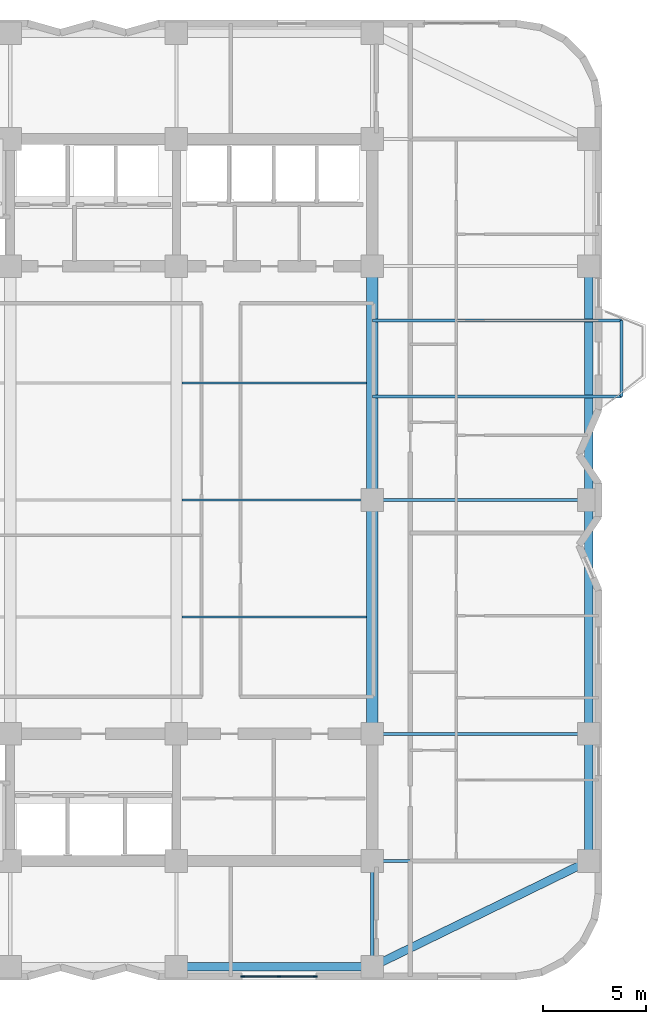
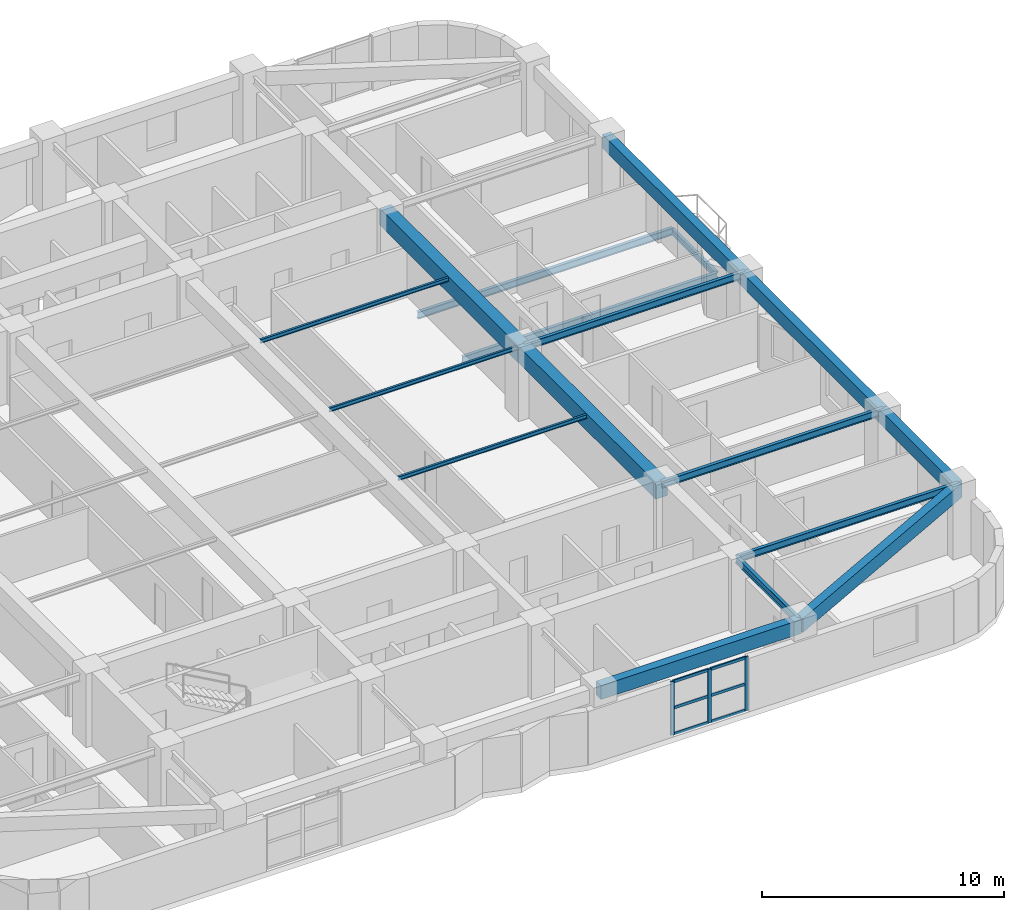
# One storey, part 4 of 15: 17 beams, 9 members, 1 element without a shape of its own.
"""IFC4 building model written with IfcOpenShell, lengths in metres."""

from ifc_helpers import new_model, si_unit, direction, frame, origin, origin_2d, place, context, subcontext, project, spatial, rectangle, i_section, extrude, material, material_profile, profile_set, type_object, element, aggregate, save


model = new_model("IFC4")

# Units and contexts
model_context = context("Model", 3, precision=1e-05, world=origin(), true_north=direction((0.0, 1.0)))
body_context = subcontext(model_context, "Body", "Model", "MODEL_VIEW")
ifc_project = project(units=[si_unit("LENGTHUNIT", "METRE"), si_unit("AREAUNIT", "SQUARE_METRE"), si_unit("VOLUMEUNIT", "CUBIC_METRE"), si_unit("PLANEANGLEUNIT", "RADIAN"), si_unit("MASSUNIT", "GRAM", prefix="KILO")], contexts=[model_context])

# Site, building, storey
site_placement = place(None, origin())
site = spatial("IfcSite", under=ifc_project, at=site_placement, CompositionType="ELEMENT")
building_placement = place(site_placement, origin())
building = spatial("IfcBuilding", under=site, at=building_placement, Name="Svetorya Sky Lyceum", CompositionType="ELEMENT")
storey_placement = place(building_placement, frame((0.0, 0.0, 99.39990234375)))
storey = spatial("IfcBuildingStorey", under=building, at=storey_placement, Name="L24", CompositionType="ELEMENT", Elevation=99.39990234375)

# Beams
ifc_material_1 = material(Name="Concrete C50/60", Category="concrete")
ifc_material_profile_1 = material_profile(ifc_material_1, rectangle(XDim=0.550048828125, YDim=0.85009765625, at=origin_2d()), Name="RC BEAM 550x850")
ifc_profile_set_1 = profile_set([ifc_material_profile_1], Name="Concrete C50/60")
beam_type_1 = type_object("IfcBeamType", Name="BM-RC-850", PredefinedType="BEAM", material=ifc_profile_set_1)
beam_1_placement = place(storey_placement, frame((52.800048828125, 16.800048828125, 2.9951171875), z_axis=(0.0, 1.0, 0.0), x_axis=(-1.0, 0.0, 0.0)))
element("IfcBeam", 1, at=beam_1_placement, inside=storey, type_object=beam_type_1, Name="L24 Central Bay Primary Girder CG-4A", PredefinedType="BEAM", context=body_context, shape_type="SweptSolid", body=[
    extrude(rectangle(XDim=0.550048828125, YDim=0.85009765625, at=origin_2d()), origin(), (0.0, 0.0, 1.0), 11.39990234375),
])
beam_2_placement = place(storey_placement, frame((52.800048828125, 28.199951171875, 2.9951171875), z_axis=(0.0, 1.0, 0.0), x_axis=(-1.0, 0.0, 0.0)))
element("IfcBeam", 2, at=beam_2_placement, inside=storey, type_object=beam_type_1, Name="L24 Central Bay Primary Girder CG-4B", PredefinedType="BEAM", context=body_context, shape_type="SweptSolid", body=[
    extrude(rectangle(XDim=0.550048828125, YDim=0.85009765625, at=origin_2d()), origin(), (0.0, 0.0, 1.0), 11.400146484375),
])
ifc_material_profile_2 = material_profile(ifc_material_1, rectangle(XDim=0.39990234375, YDim=0.699951171875, at=origin_2d()), Name="RC SPANDREL 400x700")
ifc_profile_set_2 = profile_set([ifc_material_profile_2], Name="Concrete C50/60")
beam_type_2 = type_object("IfcBeamType", Name="BM-SPN-700", PredefinedType="SPANDREL", material=ifc_profile_set_2)
beam_3_placement = place(storey_placement, frame((43.25, 5.449951171875, 3.070068359375), z_axis=(1.0, 0.0, 0.0), x_axis=(0.0, 1.0, 0.0)))
element("IfcBeam", 3, at=beam_3_placement, inside=storey, type_object=beam_type_2, Name="L24 South Spandrel 3", PredefinedType="SPANDREL", context=body_context, shape_type="SweptSolid", body=[
    extrude(rectangle(XDim=0.39990234375, YDim=0.699951171875, at=origin_2d()), origin(), (0.0, 0.0, 1.0), 9.550048828125),
])
beam_4_placement = place(storey_placement, frame((52.800048828125, 5.449951171875, 3.070068359375), z_axis=(0.898641495694, 0.438683783854, 0.0), x_axis=(-0.438683783854, 0.898641495694, 0.0)))
element("IfcBeam", 4, at=beam_4_placement, inside=storey, type_object=beam_type_2, Name="L24 Corner Spandrel 2", PredefinedType="SPANDREL", context=body_context, shape_type="SweptSolid", body=[
    extrude(rectangle(XDim=0.39990234375, YDim=0.699951171875, at=origin_2d()), origin(), (0.0, 0.0, 1.0), 11.739990234375),
])
beam_5_placement = place(storey_placement, frame((63.35009765625, 10.60009765625, 3.070068359375), z_axis=(0.0, 1.0, 0.0), x_axis=(-1.0, 0.0, 0.0)))
element("IfcBeam", 5, at=beam_5_placement, inside=storey, type_object=beam_type_2, Name="L24 East Spandrel 1", PredefinedType="SPANDREL", context=body_context, shape_type="SweptSolid", body=[
    extrude(rectangle(XDim=0.39990234375, YDim=0.699951171875, at=origin_2d()), origin(), (0.0, 0.0, 1.0), 6.199951171875),
])
beam_6_placement = place(storey_placement, frame((63.35009765625, 16.800048828125, 3.070068359375), z_axis=(0.0, 1.0, 0.0), x_axis=(-1.0, 0.0, 0.0)))
element("IfcBeam", 6, at=beam_6_placement, inside=storey, type_object=beam_type_2, Name="L24 East Spandrel 2", PredefinedType="SPANDREL", context=body_context, shape_type="SweptSolid", body=[
    extrude(rectangle(XDim=0.39990234375, YDim=0.699951171875, at=origin_2d()), origin(), (0.0, 0.0, 1.0), 11.39990234375),
])
beam_7_placement = place(storey_placement, frame((63.35009765625, 28.199951171875, 3.070068359375), z_axis=(0.0, 1.0, 0.0), x_axis=(-1.0, 0.0, 0.0)))
element("IfcBeam", 7, at=beam_7_placement, inside=storey, type_object=beam_type_2, Name="L24 East Spandrel 3", PredefinedType="SPANDREL", context=body_context, shape_type="SweptSolid", body=[
    extrude(rectangle(XDim=0.39990234375, YDim=0.699951171875, at=origin_2d()), origin(), (0.0, 0.0, 1.0), 11.400146484375),
])
ifc_material_2 = material(Name="Steel S355", Category="steel")
ifc_material_profile_3 = material_profile(ifc_material_2, i_section(OverallWidth=0.10009765625, OverallDepth=0.199951171875, WebThickness=0.005615234375, FlangeThickness=0.008544921875, at=origin_2d()), Name="GOST 20B1")
ifc_profile_set_3 = profile_set([ifc_material_profile_3], Name="Steel S355")
beam_type_3 = type_object("IfcBeamType", Name="BM-STL-20B1", PredefinedType="JOIST", material=ifc_profile_set_3)
for number, where, z_axis, x_axis, name in (
    (8, (43.52490234375, 22.5, 3.320068359375), (1.0, 0.0, 0.0), (0.0, 1.0, 0.0), "L24 Central Floor Joist CJ-1.3"),
    (9, (43.52490234375, 28.199951171875, 3.320068359375), (1.0, 0.0, 0.0), (0.0, 1.0, 0.0), "L24 Central Floor Joist CJ-2.3"),
    (10, (43.52490234375, 33.89990234375, 3.320068359375), (1.0, 0.0, 0.0), (0.0, 1.0, 0.0), "L24 Central Floor Joist CJ-3.3"),
):
    element("IfcBeam", number, at=place(storey_placement, frame(where, z_axis=z_axis, x_axis=x_axis)), inside=storey, type_object=beam_type_3, Name=name, PredefinedType="JOIST", context=body_context, shape_type="SweptSolid", body=[
        extrude(i_section(OverallWidth=0.10009765625, OverallDepth=0.199951171875, WebThickness=0.005615234375, FlangeThickness=0.008544921875, at=origin_2d()), origin(), (0.0, 0.0, 1.0), 9.0),
    ])
ifc_material_profile_4 = material_profile(ifc_material_2, i_section(OverallWidth=0.14990234375, OverallDepth=0.299072265625, WebThickness=0.006591796875, FlangeThickness=0.010498046875, at=origin_2d()), Name="GOST 30B2")
ifc_profile_set_4 = profile_set([ifc_material_profile_4], Name="Steel S355")
beam_type_4 = type_object("IfcBeamType", Name="BM-STL-30B2", PredefinedType="JOIST", material=ifc_profile_set_4)
beam_8_placement = place(storey_placement, frame((64.949951171875, 33.25, -0.454345703125), z_axis=(0.0, 1.0, 0.0), x_axis=(-1.0, 0.0, 0.0)))
element("IfcBeam", 11, at=beam_8_placement, inside=storey, type_object=beam_type_4, Name="L24 Balcony Edge Tie BAL-E1", PredefinedType="JOIST", context=body_context, shape_type="SweptSolid", body=[
    extrude(i_section(OverallWidth=0.14990234375, OverallDepth=0.299072265625, WebThickness=0.006591796875, FlangeThickness=0.010498046875, at=origin_2d()), origin(), (0.0, 0.0, 1.0), 3.699951171875),
])
ifc_material_profile_5 = material_profile(ifc_material_2, i_section(OverallWidth=0.155029296875, OverallDepth=0.34912109375, WebThickness=0.007080078125, FlangeThickness=0.011474609375, at=origin_2d()), Name="GOST 35B2")
ifc_profile_set_5 = profile_set([ifc_material_profile_5], Name="Steel S355")
beam_type_5 = type_object("IfcBeamType", Name="BM-STL-35B2", PredefinedType="JOIST", material=ifc_profile_set_5)
for number, where, z_axis, x_axis, name in (
    (12, (52.800048828125, 33.25, -0.454345703125), (1.0, 0.0, 0.0), (0.0, 1.0, 0.0), "L24 Balcony Cantilever Beam BAL-E1-1"),
    (13, (52.800048828125, 36.949951171875, -0.454345703125), (1.0, 0.0, 0.0), (0.0, 1.0, 0.0), "L24 Balcony Cantilever Beam BAL-E1-2"),
):
    element("IfcBeam", number, at=place(storey_placement, frame(where, z_axis=z_axis, x_axis=x_axis)), inside=storey, type_object=beam_type_5, Name=name, PredefinedType="JOIST", context=body_context, shape_type="SweptSolid", body=[
        extrude(i_section(OverallWidth=0.155029296875, OverallDepth=0.34912109375, WebThickness=0.007080078125, FlangeThickness=0.011474609375, at=origin_2d()), origin(), (0.0, 0.0, 1.0), 12.14990234375),
    ])
for number, where, z_axis, x_axis, name in (
    (14, (52.800048828125, 10.60009765625, 3.24560546875), (1.0, 0.0, 0.0), (0.0, 1.0, 0.0), "L24 East Wing Floor Joist E1"),
    (15, (52.800048828125, 16.800048828125, 3.24560546875), (1.0, 0.0, 0.0), (0.0, 1.0, 0.0), "L24 East Wing Floor Joist E2"),
    (16, (52.800048828125, 28.199951171875, 3.24560546875), (1.0, 0.0, 0.0), (0.0, 1.0, 0.0), "L24 East Wing Floor Joist E3"),
):
    element("IfcBeam", number, at=place(storey_placement, frame(where, z_axis=z_axis, x_axis=x_axis)), inside=storey, type_object=beam_type_5, Name=name, PredefinedType="JOIST", context=body_context, shape_type="SweptSolid", body=[
        extrude(i_section(OverallWidth=0.155029296875, OverallDepth=0.34912109375, WebThickness=0.007080078125, FlangeThickness=0.011474609375, at=origin_2d()), origin(), (0.0, 0.0, 1.0), 10.550048828125),
    ])
beam_9_placement = place(storey_placement, frame((52.800048828125, 5.449951171875, 3.24560546875), z_axis=(0.0, 1.0, 0.0), x_axis=(-1.0, 0.0, 0.0)))
element("IfcBeam", 17, at=beam_9_placement, inside=storey, type_object=beam_type_5, Name="L24 South Bay Floor Girder S4", PredefinedType="JOIST", context=body_context, shape_type="SweptSolid", body=[
    extrude(i_section(OverallWidth=0.155029296875, OverallDepth=0.34912109375, WebThickness=0.007080078125, FlangeThickness=0.011474609375, at=origin_2d()), origin(), (0.0, 0.0, 1.0), 5.150146484375),
])

# Curtain wall, members
ifc_material_3 = material(Name="Thermally broken anodized aluminium and triple low-E glass", Category="aluminium")
curtain_wall_type = type_object("IfcCurtainWallType", Name="CW3-LOG-RES", PredefinedType="NOTDEFINED", material=ifc_material_3)
curtain_wall_placement = place(storey_placement, origin())
curtain_wall = element("IfcCurtainWall", 18, at=curtain_wall_placement, inside=storey, type_object=curtain_wall_type, Name="L24 Recessed Loggia Curtain Wall 11", PredefinedType="NOTDEFINED")
ifc_material_4 = material(Name="Thermally broken anodized aluminium EN AW-6060", Category="aluminium")
ifc_material_profile_6 = material_profile(ifc_material_4, rectangle(XDim=0.06494140625, YDim=0.179931640625, at=origin_2d()), Name="ALU MULLION 65x180")
ifc_profile_set_6 = profile_set([ifc_material_profile_6], Name="Thermally broken anodized aluminium EN AW-6060")
member_type_1 = type_object("IfcMemberType", Name="CWM-MUL-180", PredefinedType="MULLION", material=ifc_profile_set_6)
member_1_placement = place(storey_placement, frame((46.482421875, 4.969970703125, 0.0), z_axis=(0.0, 0.0, 1.0), x_axis=(0.0, 1.0, 0.0)))
member_1 = element("IfcMember", 19, at=member_1_placement, type_object=member_type_1, Name="CW-3 mullion 1", PredefinedType="MULLION", context=body_context, shape_type="SweptSolid", body=[
    extrude(rectangle(XDim=0.06494140625, YDim=0.179931640625, at=origin_2d()), origin(), (0.0, 0.0, 1.0), 2.7001953125),
])
member_2_placement = place(storey_placement, frame((48.25, 4.969970703125, 0.0), z_axis=(0.0, 0.0, 1.0), x_axis=(0.0, 1.0, 0.0)))
member_2 = element("IfcMember", 20, at=member_2_placement, type_object=member_type_1, Name="CW-3 mullion 2", PredefinedType="MULLION", context=body_context, shape_type="SweptSolid", body=[
    extrude(rectangle(XDim=0.06494140625, YDim=0.179931640625, at=origin_2d()), origin(), (0.0, 0.0, 1.0), 2.7001953125),
])
member_3_placement = place(storey_placement, frame((50.017578125, 4.969970703125, 0.0), z_axis=(0.0, 0.0, 1.0), x_axis=(0.0, 1.0, 0.0)))
member_3 = element("IfcMember", 21, at=member_3_placement, type_object=member_type_1, Name="CW-3 mullion 3", PredefinedType="MULLION", context=body_context, shape_type="SweptSolid", body=[
    extrude(rectangle(XDim=0.06494140625, YDim=0.179931640625, at=origin_2d()), origin(), (0.0, 0.0, 1.0), 2.7001953125),
])
ifc_material_profile_7 = material_profile(ifc_material_4, rectangle(XDim=0.06494140625, YDim=0.139892578125, at=origin_2d()), Name="ALU TRANSOM 65x140")
ifc_profile_set_7 = profile_set([ifc_material_profile_7], Name="Thermally broken anodized aluminium EN AW-6060")
member_type_2 = type_object("IfcMemberType", Name="CWM-TRN-140", PredefinedType="USERDEFINED", material=ifc_profile_set_7)
member_4_placement = place(storey_placement, frame((46.513427734375, 4.969970703125, 0.03271484375), z_axis=(1.0, 0.0, 0.0), x_axis=(0.0, 1.0, 0.0)))
member_4 = element("IfcMember", 22, at=member_4_placement, type_object=member_type_2, Name="CW-3 transom 1.1", ObjectType="TRANSOM", PredefinedType="USERDEFINED", context=body_context, shape_type="SweptSolid", body=[
    extrude(rectangle(XDim=0.06494140625, YDim=0.139892578125, at=origin_2d()), origin(), (0.0, 0.0, 1.0), 1.70556640625),
])
member_5_placement = place(storey_placement, frame((46.513427734375, 4.969970703125, 1.35009765625), z_axis=(1.0, 0.0, 0.0), x_axis=(0.0, 1.0, 0.0)))
member_5 = element("IfcMember", 23, at=member_5_placement, type_object=member_type_2, Name="CW-3 transom 1.2", ObjectType="TRANSOM", PredefinedType="USERDEFINED", context=body_context, shape_type="SweptSolid", body=[
    extrude(rectangle(XDim=0.06494140625, YDim=0.139892578125, at=origin_2d()), origin(), (0.0, 0.0, 1.0), 1.70556640625),
])
member_6_placement = place(storey_placement, frame((46.513427734375, 4.969970703125, 2.66748046875), z_axis=(1.0, 0.0, 0.0), x_axis=(0.0, 1.0, 0.0)))
member_6 = element("IfcMember", 24, at=member_6_placement, type_object=member_type_2, Name="CW-3 transom 1.3", ObjectType="TRANSOM", PredefinedType="USERDEFINED", context=body_context, shape_type="SweptSolid", body=[
    extrude(rectangle(XDim=0.06494140625, YDim=0.139892578125, at=origin_2d()), origin(), (0.0, 0.0, 1.0), 1.70556640625),
])
member_7_placement = place(storey_placement, frame((48.281005859375, 4.969970703125, 0.03271484375), z_axis=(1.0, 0.0, 0.0), x_axis=(0.0, 1.0, 0.0)))
member_7 = element("IfcMember", 25, at=member_7_placement, type_object=member_type_2, Name="CW-3 transom 2.1", ObjectType="TRANSOM", PredefinedType="USERDEFINED", context=body_context, shape_type="SweptSolid", body=[
    extrude(rectangle(XDim=0.06494140625, YDim=0.139892578125, at=origin_2d()), origin(), (0.0, 0.0, 1.0), 1.70556640625),
])
member_8_placement = place(storey_placement, frame((48.281005859375, 4.969970703125, 1.35009765625), z_axis=(1.0, 0.0, 0.0), x_axis=(0.0, 1.0, 0.0)))
member_8 = element("IfcMember", 26, at=member_8_placement, type_object=member_type_2, Name="CW-3 transom 2.2", ObjectType="TRANSOM", PredefinedType="USERDEFINED", context=body_context, shape_type="SweptSolid", body=[
    extrude(rectangle(XDim=0.06494140625, YDim=0.139892578125, at=origin_2d()), origin(), (0.0, 0.0, 1.0), 1.70556640625),
])
member_9_placement = place(storey_placement, frame((48.281005859375, 4.969970703125, 2.66748046875), z_axis=(1.0, 0.0, 0.0), x_axis=(0.0, 1.0, 0.0)))
member_9 = element("IfcMember", 27, at=member_9_placement, type_object=member_type_2, Name="CW-3 transom 2.3", ObjectType="TRANSOM", PredefinedType="USERDEFINED", context=body_context, shape_type="SweptSolid", body=[
    extrude(rectangle(XDim=0.06494140625, YDim=0.139892578125, at=origin_2d()), origin(), (0.0, 0.0, 1.0), 1.70556640625),
])
aggregate(curtain_wall, [member_1, member_2, member_3, member_4, member_5, member_6, member_7, member_8, member_9])

save(model, "model.ifc")
